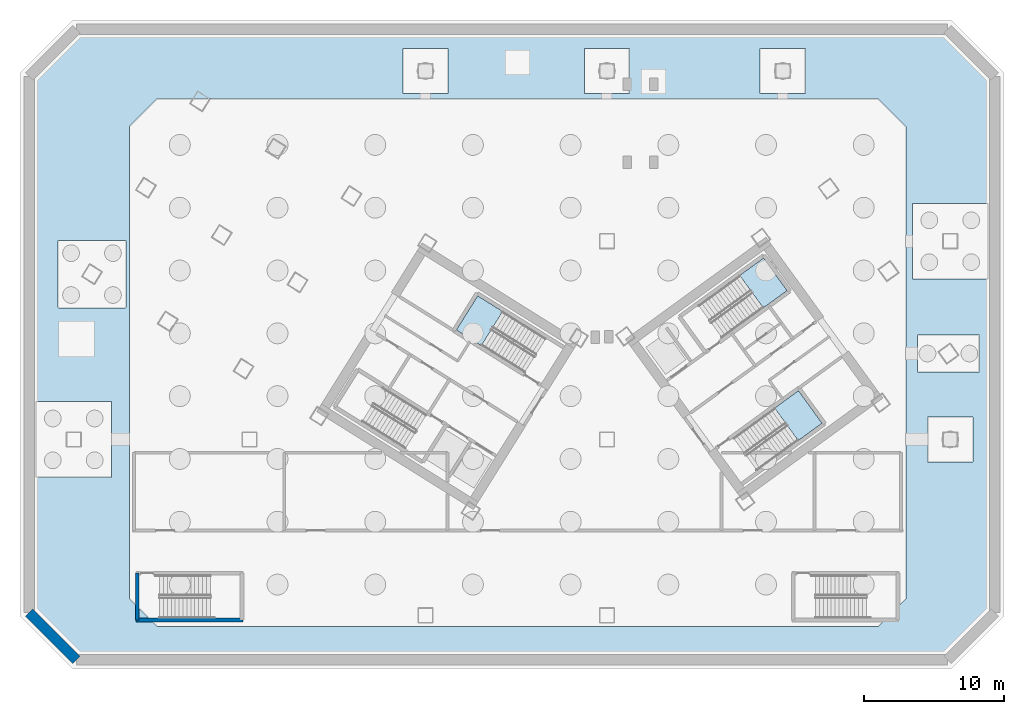
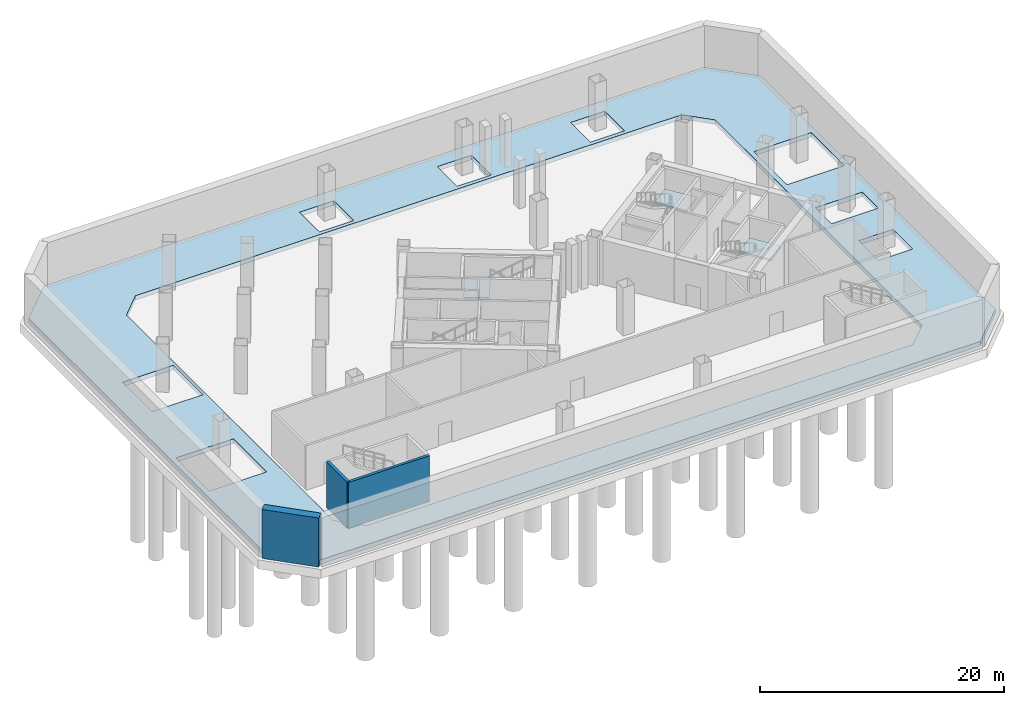
# One storey, part 3 of 11: 4 slabs, 3 walls, 3 elements without a shape of their own.
"""IFC4 building model written with IfcOpenShell, lengths in metres."""

from ifc_helpers import new_model, si_unit, direction, frame, frame_2d, origin, place, context, subcontext, project, spatial, polyline, rectangle, outline, extrude, material, layer, layer_set, type_object, element, aggregate, save


model = new_model("IFC4")

# Units and contexts
model_context = context("Model", 3, precision=1e-05, world=origin(), true_north=direction((0.0, 1.0)))
body_context = subcontext(model_context, "Body", "Model", "MODEL_VIEW")
ifc_project = project(units=[si_unit("LENGTHUNIT", "METRE"), si_unit("AREAUNIT", "SQUARE_METRE"), si_unit("VOLUMEUNIT", "CUBIC_METRE"), si_unit("PLANEANGLEUNIT", "RADIAN"), si_unit("MASSUNIT", "GRAM", prefix="KILO")], contexts=[model_context])

# Site, building, storey
site_placement = place(None, origin())
site = spatial("IfcSite", under=ifc_project, at=site_placement, CompositionType="ELEMENT")
building_placement = place(site_placement, origin())
building = spatial("IfcBuilding", under=site, at=building_placement, Name="Tlacorven Tower", CompositionType="ELEMENT")
storey_placement = place(building_placement, frame((0.0, 0.0, -9.60009765625)))
storey = spatial("IfcBuildingStorey", under=building, at=storey_placement, Name="B2", CompositionType="ELEMENT", Elevation=-9.60009765625)

# Stair, slab
ifc_material_1 = material(Name="Concrete C40/50", Category="concrete")
stair_type = type_object("IfcStairType", Name="ST-CORE-DLG", PredefinedType="HALF_TURN_STAIR", material=ifc_material_1)
stair_1_placement = place(storey_placement, origin())
stair_1 = element("IfcStair", 1, at=stair_1_placement, inside=storey, type_object=stair_type, Name="B2 Protected Exit Stair West 2", PredefinedType="HALF_TURN_STAIR")
ifc_layer_1 = layer(ifc_material_1, 0.199951171875)
ifc_layer_set_1 = layer_set([ifc_layer_1], Name="Concrete C40/50")
slab_type_1 = type_object("IfcSlabType", Name="SL-LND-200", PredefinedType="LANDING", material=ifc_layer_set_1)
slab_1_placement = place(storey_placement, frame((0.0, 0.0, 2.2001953125)))
slab_1 = element("IfcSlab", 2, at=slab_1_placement, type_object=slab_type_1, Name="ST-W2 landing 1", PredefinedType="LANDING", context=body_context, shape_type="SweptSolid", body=[
    extrude(outline(polyline([(35.330078125, 26.366455078125), (33.540771484375, 27.484375), (32.0146484375, 25.0419921875), (33.803955078125, 23.924072265625), (35.330078125, 26.366455078125)])), origin(), (0.0, 0.0, 1.0), 0.199951171875),
])
aggregate(stair_1, [slab_1])

stair_2_placement = place(storey_placement, origin())
stair_2 = element("IfcStair", 3, at=stair_2_placement, inside=storey, type_object=stair_type, Name="B2 Protected Exit Stair East 1", PredefinedType="HALF_TURN_STAIR")
slab_2_placement = place(storey_placement, frame((0.0, 0.0, 2.2001953125)))
slab_2 = element("IfcSlab", 4, at=slab_2_placement, type_object=slab_type_1, Name="ST-E1 landing 1", PredefinedType="LANDING", context=body_context, shape_type="SweptSolid", body=[
    extrude(outline(polyline([(54.00390625, 26.621337890625), (55.7109375, 27.861572265625), (54.01806640625, 30.19140625), (52.31103515625, 28.951171875), (54.00390625, 26.621337890625)])), origin(), (0.0, 0.0, 1.0), 0.199951171875),
])
aggregate(stair_2, [slab_2])

stair_3_placement = place(storey_placement, origin())
stair_3 = element("IfcStair", 5, at=stair_3_placement, inside=storey, type_object=stair_type, Name="B2 Protected Exit Stair East 2", PredefinedType="HALF_TURN_STAIR")
slab_3_placement = place(storey_placement, frame((0.0, 0.0, 2.2001953125)))
slab_3 = element("IfcSlab", 6, at=slab_3_placement, type_object=slab_type_1, Name="ST-E2 landing 1", PredefinedType="LANDING", context=body_context, shape_type="SweptSolid", body=[
    extrude(outline(polyline([(56.5078125, 17.1181640625), (58.21484375, 18.3583984375), (56.52197265625, 20.6884765625), (54.81494140625, 19.4482421875), (56.5078125, 17.1181640625)])), origin(), (0.0, 0.0, 1.0), 0.199951171875),
])
aggregate(stair_3, [slab_3])

# Slab
ifc_material_2 = material(Name="Concrete C50/60", Category="concrete")
ifc_layer_2 = layer(ifc_material_2, 0.449951171875)
ifc_layer_set_2 = layer_set([ifc_layer_2], Name="Concrete C50/60")
slab_type_2 = type_object("IfcSlabType", Name="SL-TRF-450", PredefinedType="FLOOR", material=ifc_layer_set_2)
slab_4_placement = place(storey_placement, frame((0.0, 0.0, -0.449951171875)))
element("IfcSlab", 7, at=slab_4_placement, inside=storey, type_object=slab_type_2, Name="B2 Perimeter Basement Slab 1", PredefinedType="FLOOR", context=body_context, shape_type="SweptSolid", body=[
    extrude(outline(polyline([(1.39990234375, 4.800048828125), (1.39990234375, 43.199951171875), (4.800048828125, 46.60009765625), (67.199951171875, 46.60009765625), (70.60009765625, 43.199951171875), (70.60009765625, 4.800048828125), (67.199951171875, 1.39990234375), (4.800048828125, 1.39990234375), (1.39990234375, 4.800048828125)]), holes=[polyline([(1.880126953125, 19.90185546875), (1.8798828125, 19.89990234375), (1.8798828125, 14.5), (1.880126953125, 14.498046875), (1.88037109375, 14.49609375), (1.880859375, 14.494140625), (1.881591796875, 14.492431640625), (1.88232421875, 14.490478515625), (1.88330078125, 14.48876953125), (1.884521484375, 14.4873046875), (1.8857421875, 14.48583984375), (1.88720703125, 14.484619140625), (1.888916015625, 14.4833984375), (1.890625, 14.482421875), (1.892333984375, 14.4814453125), (1.894287109375, 14.48095703125), (1.89599609375, 14.48046875), (1.89794921875, 14.47998046875), (1.89990234375, 14.47998046875), (7.300048828125, 14.47998046875), (7.302001953125, 14.47998046875), (7.303955078125, 14.48046875), (7.305908203125, 14.48095703125), (7.3076171875, 14.4814453125), (7.309326171875, 14.482421875), (7.31103515625, 14.4833984375), (7.312744140625, 14.484619140625), (7.314208984375, 14.48583984375), (7.3154296875, 14.4873046875), (7.316650390625, 14.48876953125), (7.317626953125, 14.490478515625), (7.318359375, 14.492431640625), (7.319091796875, 14.494140625), (7.319580078125, 14.49609375), (7.31982421875, 14.498046875), (7.320068359375, 14.5), (7.320068359375, 19.89990234375), (7.31982421875, 19.90185546875), (7.319580078125, 19.90380859375), (7.319091796875, 19.90576171875), (7.318359375, 19.90771484375), (7.317626953125, 19.909423828125), (7.316650390625, 19.9111328125), (7.3154296875, 19.91259765625), (7.314208984375, 19.9140625), (7.312744140625, 19.91552734375), (7.31103515625, 19.916748046875), (7.309326171875, 19.917724609375), (7.3076171875, 19.91845703125), (7.305908203125, 19.919189453125), (7.303955078125, 19.919677734375), (7.302001953125, 19.919921875), (7.300048828125, 19.919921875), (1.89990234375, 19.919921875), (1.89794921875, 19.919921875), (1.89599609375, 19.919677734375), (1.894287109375, 19.919189453125), (1.892333984375, 19.91845703125), (1.890625, 19.917724609375), (1.888916015625, 19.916748046875), (1.88720703125, 19.91552734375), (1.8857421875, 19.9140625), (1.884521484375, 19.91259765625), (1.88330078125, 19.9111328125), (1.88232421875, 19.909423828125), (1.881591796875, 19.90771484375), (1.880859375, 19.90576171875), (1.88037109375, 19.90380859375), (1.880126953125, 19.90185546875)]), polyline([(65.780029296875, 18.802001953125), (65.780029296875, 18.800048828125), (65.780029296875, 15.60009765625), (65.780029296875, 15.59814453125), (65.7802734375, 15.59619140625), (65.78076171875, 15.59423828125), (65.781494140625, 15.59228515625), (65.782470703125, 15.590576171875), (65.783447265625, 15.5888671875), (65.784423828125, 15.58740234375), (65.785888671875, 15.5859375), (65.787353515625, 15.58447265625), (65.788818359375, 15.583251953125), (65.79052734375, 15.582275390625), (65.792236328125, 15.58154296875), (65.794189453125, 15.580810546875), (65.796142578125, 15.580322265625), (65.798095703125, 15.580078125), (65.800048828125, 15.580078125), (69.0, 15.580078125), (69.001953125, 15.580078125), (69.00390625, 15.580322265625), (69.005859375, 15.580810546875), (69.007568359375, 15.58154296875), (69.009521484375, 15.582275390625), (69.01123046875, 15.583251953125), (69.0126953125, 15.58447265625), (69.01416015625, 15.5859375), (69.015380859375, 15.58740234375), (69.0166015625, 15.5888671875), (69.017578125, 15.590576171875), (69.0185546875, 15.59228515625), (69.01904296875, 15.59423828125), (69.01953125, 15.59619140625), (69.02001953125, 15.59814453125), (69.02001953125, 15.60009765625), (69.02001953125, 18.800048828125), (69.02001953125, 18.802001953125), (69.01953125, 18.803955078125), (69.01904296875, 18.805908203125), (69.0185546875, 18.8076171875), (69.017578125, 18.809326171875), (69.0166015625, 18.81103515625), (69.015380859375, 18.812744140625), (69.01416015625, 18.814208984375), (69.0126953125, 18.8154296875), (69.01123046875, 18.816650390625), (69.009521484375, 18.817626953125), (69.007568359375, 18.818359375), (69.005859375, 18.819091796875), (69.00390625, 18.819580078125), (69.001953125, 18.81982421875), (69.0, 18.820068359375), (65.800048828125, 18.820068359375), (65.798095703125, 18.81982421875), (65.796142578125, 18.819580078125), (65.794189453125, 18.819091796875), (65.792236328125, 18.818359375), (65.79052734375, 18.817626953125), (65.788818359375, 18.816650390625), (65.787353515625, 18.8154296875), (65.785888671875, 18.814208984375), (65.784423828125, 18.812744140625), (65.783447265625, 18.81103515625), (65.782470703125, 18.809326171875), (65.781494140625, 18.8076171875), (65.78076171875, 18.805908203125), (65.7802734375, 18.803955078125), (65.780029296875, 18.802001953125)]), polyline([(8.58447265625, 5.787353515625), (8.5859375, 5.785888671875), (10.5859375, 3.785888671875), (10.58740234375, 3.784423828125), (10.5888671875, 3.783447265625), (10.590576171875, 3.782470703125), (10.59228515625, 3.781494140625), (10.59423828125, 3.78076171875), (10.59619140625, 3.7802734375), (10.59814453125, 3.780029296875), (10.60009765625, 3.780029296875), (62.199951171875, 3.780029296875), (62.201904296875, 3.780029296875), (62.203857421875, 3.7802734375), (62.205810546875, 3.78076171875), (62.207763671875, 3.781494140625), (62.20947265625, 3.782470703125), (62.211181640625, 3.783447265625), (62.212646484375, 3.784423828125), (62.214111328125, 3.785888671875), (64.214111328125, 5.785888671875), (64.215576171875, 5.787353515625), (64.216552734375, 5.788818359375), (64.217529296875, 5.79052734375), (64.218505859375, 5.792236328125), (64.21923828125, 5.794189453125), (64.2197265625, 5.796142578125), (64.219970703125, 5.798095703125), (64.219970703125, 5.800048828125), (64.219970703125, 39.60009765625), (64.219970703125, 39.60205078125), (64.2197265625, 39.60400390625), (64.21923828125, 39.605712890625), (64.218505859375, 39.607666015625), (64.217529296875, 39.609375), (64.216552734375, 39.611083984375), (64.215576171875, 39.61279296875), (64.214111328125, 39.6142578125), (62.214111328125, 41.6142578125), (62.212646484375, 41.615478515625), (62.211181640625, 41.61669921875), (62.20947265625, 41.61767578125), (62.207763671875, 41.618408203125), (62.205810546875, 41.619140625), (62.203857421875, 41.61962890625), (62.201904296875, 41.619873046875), (62.199951171875, 41.6201171875), (10.60009765625, 41.6201171875), (10.59814453125, 41.619873046875), (10.59619140625, 41.61962890625), (10.59423828125, 41.619140625), (10.59228515625, 41.618408203125), (10.590576171875, 41.61767578125), (10.5888671875, 41.61669921875), (10.58740234375, 41.615478515625), (10.5859375, 41.6142578125), (8.5859375, 39.6142578125), (8.58447265625, 39.61279296875), (8.583251953125, 39.611083984375), (8.582275390625, 39.609375), (8.58154296875, 39.607666015625), (8.580810546875, 39.605712890625), (8.580322265625, 39.60400390625), (8.580078125, 39.60205078125), (8.580078125, 39.60009765625), (8.580078125, 5.800048828125), (8.580078125, 5.798095703125), (8.580322265625, 5.796142578125), (8.580810546875, 5.794189453125), (8.58154296875, 5.792236328125), (8.582275390625, 5.79052734375), (8.583251953125, 5.788818359375), (8.58447265625, 5.787353515625)]), polyline([(65.0478515625, 24.655517578125), (65.047607421875, 24.653564453125), (65.047607421875, 22.053466796875), (65.0478515625, 22.051513671875), (65.048095703125, 22.049560546875), (65.048583984375, 22.0478515625), (65.04931640625, 22.0458984375), (65.050048828125, 22.044189453125), (65.051025390625, 22.04248046875), (65.05224609375, 22.040771484375), (65.053466796875, 22.039306640625), (65.054931640625, 22.0380859375), (65.056640625, 22.036865234375), (65.058349609375, 22.035888671875), (65.06005859375, 22.03515625), (65.06201171875, 22.034423828125), (65.063720703125, 22.033935546875), (65.065673828125, 22.03369140625), (65.067626953125, 22.033447265625), (69.4677734375, 22.033447265625), (69.4697265625, 22.03369140625), (69.4716796875, 22.033935546875), (69.4736328125, 22.034423828125), (69.475341796875, 22.03515625), (69.47705078125, 22.035888671875), (69.478759765625, 22.036865234375), (69.48046875, 22.0380859375), (69.48193359375, 22.039306640625), (69.483154296875, 22.040771484375), (69.484375, 22.04248046875), (69.4853515625, 22.044189453125), (69.486083984375, 22.0458984375), (69.48681640625, 22.0478515625), (69.4873046875, 22.049560546875), (69.487548828125, 22.051513671875), (69.48779296875, 22.053466796875), (69.48779296875, 24.653564453125), (69.487548828125, 24.655517578125), (69.4873046875, 24.657470703125), (69.48681640625, 24.659423828125), (69.486083984375, 24.6611328125), (69.4853515625, 24.6630859375), (69.484375, 24.66455078125), (69.483154296875, 24.666259765625), (69.48193359375, 24.667724609375), (69.48046875, 24.6689453125), (69.478759765625, 24.670166015625), (69.47705078125, 24.671142578125), (69.475341796875, 24.672119140625), (69.4736328125, 24.672607421875), (69.4716796875, 24.673095703125), (69.4697265625, 24.67333984375), (69.4677734375, 24.673583984375), (65.067626953125, 24.673583984375), (65.065673828125, 24.67333984375), (65.063720703125, 24.673095703125), (65.06201171875, 24.672607421875), (65.06005859375, 24.672119140625), (65.058349609375, 24.671142578125), (65.056640625, 24.670166015625), (65.054931640625, 24.6689453125), (65.053466796875, 24.667724609375), (65.05224609375, 24.666259765625), (65.051025390625, 24.66455078125), (65.050048828125, 24.6630859375), (65.04931640625, 24.6611328125), (65.048583984375, 24.659423828125), (65.048095703125, 24.657470703125), (65.0478515625, 24.655517578125)]), polyline([(3.48876953125, 31.4462890625), (3.488525390625, 31.4443359375), (3.488525390625, 26.644287109375), (3.48876953125, 26.642333984375), (3.489013671875, 26.640380859375), (3.489501953125, 26.638427734375), (3.490234375, 26.63671875), (3.490966796875, 26.634765625), (3.491943359375, 26.63330078125), (3.4931640625, 26.631591796875), (3.494384765625, 26.630126953125), (3.495849609375, 26.62890625), (3.49755859375, 26.627685546875), (3.499267578125, 26.626708984375), (3.5009765625, 26.625732421875), (3.502685546875, 26.625244140625), (3.504638671875, 26.624755859375), (3.506591796875, 26.62451171875), (3.508544921875, 26.624267578125), (8.30859375, 26.624267578125), (8.310546875, 26.62451171875), (8.3125, 26.624755859375), (8.314453125, 26.625244140625), (8.316162109375, 26.625732421875), (8.318115234375, 26.626708984375), (8.31982421875, 26.627685546875), (8.3212890625, 26.62890625), (8.32275390625, 26.630126953125), (8.323974609375, 26.631591796875), (8.3251953125, 26.63330078125), (8.326171875, 26.634765625), (8.3271484375, 26.63671875), (8.32763671875, 26.638427734375), (8.328125, 26.640380859375), (8.32861328125, 26.642333984375), (8.32861328125, 26.644287109375), (8.32861328125, 31.4443359375), (8.32861328125, 31.4462890625), (8.328125, 31.4482421875), (8.32763671875, 31.4501953125), (8.3271484375, 31.451904296875), (8.326171875, 31.45361328125), (8.3251953125, 31.455322265625), (8.323974609375, 31.45703125), (8.32275390625, 31.45849609375), (8.3212890625, 31.459716796875), (8.31982421875, 31.4609375), (8.318115234375, 31.4619140625), (8.316162109375, 31.462890625), (8.314453125, 31.46337890625), (8.3125, 31.4638671875), (8.310546875, 31.464111328125), (8.30859375, 31.46435546875), (3.508544921875, 31.46435546875), (3.506591796875, 31.464111328125), (3.504638671875, 31.4638671875), (3.502685546875, 31.46337890625), (3.5009765625, 31.462890625), (3.499267578125, 31.4619140625), (3.49755859375, 31.4609375), (3.495849609375, 31.459716796875), (3.494384765625, 31.45849609375), (3.4931640625, 31.45703125), (3.491943359375, 31.455322265625), (3.490966796875, 31.45361328125), (3.490234375, 31.451904296875), (3.489501953125, 31.4501953125), (3.489013671875, 31.4482421875), (3.48876953125, 31.4462890625)]), polyline([(64.68017578125, 34.10205078125), (64.679931640625, 34.10009765625), (64.679931640625, 28.699951171875), (64.68017578125, 28.697998046875), (64.680419921875, 28.696044921875), (64.680908203125, 28.694091796875), (64.681640625, 28.6923828125), (64.682373046875, 28.690673828125), (64.683349609375, 28.68896484375), (64.6845703125, 28.687255859375), (64.685791015625, 28.685791015625), (64.687255859375, 28.6845703125), (64.68896484375, 28.683349609375), (64.690673828125, 28.682373046875), (64.6923828125, 28.681640625), (64.694091796875, 28.680908203125), (64.696044921875, 28.680419921875), (64.697998046875, 28.68017578125), (64.699951171875, 28.679931640625), (70.10009765625, 28.679931640625), (70.10205078125, 28.68017578125), (70.10400390625, 28.680419921875), (70.105712890625, 28.680908203125), (70.107666015625, 28.681640625), (70.109375, 28.682373046875), (70.111083984375, 28.683349609375), (70.11279296875, 28.6845703125), (70.1142578125, 28.685791015625), (70.115478515625, 28.687255859375), (70.11669921875, 28.68896484375), (70.11767578125, 28.690673828125), (70.118408203125, 28.6923828125), (70.119140625, 28.694091796875), (70.11962890625, 28.696044921875), (70.119873046875, 28.697998046875), (70.1201171875, 28.699951171875), (70.1201171875, 34.10009765625), (70.119873046875, 34.10205078125), (70.11962890625, 34.10400390625), (70.119140625, 34.105712890625), (70.118408203125, 34.107666015625), (70.11767578125, 34.109375), (70.11669921875, 34.111083984375), (70.115478515625, 34.11279296875), (70.1142578125, 34.1142578125), (70.11279296875, 34.115478515625), (70.111083984375, 34.11669921875), (70.109375, 34.11767578125), (70.107666015625, 34.118408203125), (70.105712890625, 34.119140625), (70.10400390625, 34.11962890625), (70.10205078125, 34.119873046875), (70.10009765625, 34.1201171875), (64.699951171875, 34.1201171875), (64.697998046875, 34.119873046875), (64.696044921875, 34.11962890625), (64.694091796875, 34.119140625), (64.6923828125, 34.118408203125), (64.690673828125, 34.11767578125), (64.68896484375, 34.11669921875), (64.687255859375, 34.115478515625), (64.685791015625, 34.1142578125), (64.6845703125, 34.11279296875), (64.683349609375, 34.111083984375), (64.682373046875, 34.109375), (64.681640625, 34.107666015625), (64.680908203125, 34.105712890625), (64.680419921875, 34.10400390625), (64.68017578125, 34.10205078125)]), polyline([(28.18017578125, 45.201904296875), (28.179931640625, 45.199951171875), (28.179931640625, 42.0), (28.18017578125, 41.998046875), (28.180419921875, 41.99609375), (28.180908203125, 41.994140625), (28.181640625, 41.992431640625), (28.182373046875, 41.990478515625), (28.183349609375, 41.98876953125), (28.1845703125, 41.9873046875), (28.185791015625, 41.98583984375), (28.187255859375, 41.984619140625), (28.18896484375, 41.9833984375), (28.190673828125, 41.982421875), (28.1923828125, 41.9814453125), (28.194091796875, 41.98095703125), (28.196044921875, 41.98046875), (28.197998046875, 41.97998046875), (28.199951171875, 41.97998046875), (31.39990234375, 41.97998046875), (31.40185546875, 41.97998046875), (31.40380859375, 41.98046875), (31.40576171875, 41.98095703125), (31.40771484375, 41.9814453125), (31.409423828125, 41.982421875), (31.4111328125, 41.9833984375), (31.41259765625, 41.984619140625), (31.4140625, 41.98583984375), (31.41552734375, 41.9873046875), (31.416748046875, 41.98876953125), (31.417724609375, 41.990478515625), (31.41845703125, 41.992431640625), (31.419189453125, 41.994140625), (31.419677734375, 41.99609375), (31.419921875, 41.998046875), (31.419921875, 42.0), (31.419921875, 45.199951171875), (31.419921875, 45.201904296875), (31.419677734375, 45.203857421875), (31.419189453125, 45.205810546875), (31.41845703125, 45.207763671875), (31.417724609375, 45.20947265625), (31.416748046875, 45.211181640625), (31.41552734375, 45.212646484375), (31.4140625, 45.214111328125), (31.41259765625, 45.215576171875), (31.4111328125, 45.216552734375), (31.409423828125, 45.217529296875), (31.40771484375, 45.218505859375), (31.40576171875, 45.21923828125), (31.40380859375, 45.2197265625), (31.40185546875, 45.219970703125), (31.39990234375, 45.219970703125), (28.199951171875, 45.219970703125), (28.197998046875, 45.219970703125), (28.196044921875, 45.2197265625), (28.194091796875, 45.21923828125), (28.1923828125, 45.218505859375), (28.190673828125, 45.217529296875), (28.18896484375, 45.216552734375), (28.187255859375, 45.215576171875), (28.185791015625, 45.214111328125), (28.1845703125, 45.212646484375), (28.183349609375, 45.211181640625), (28.182373046875, 45.20947265625), (28.181640625, 45.207763671875), (28.180908203125, 45.205810546875), (28.180419921875, 45.203857421875), (28.18017578125, 45.201904296875)]), polyline([(41.180419921875, 45.203857421875), (41.18017578125, 45.201904296875), (41.179931640625, 45.199951171875), (41.179931640625, 42.0), (41.18017578125, 41.998046875), (41.180419921875, 41.99609375), (41.180908203125, 41.994140625), (41.181640625, 41.992431640625), (41.182373046875, 41.990478515625), (41.183349609375, 41.98876953125), (41.1845703125, 41.9873046875), (41.185791015625, 41.98583984375), (41.187255859375, 41.984619140625), (41.18896484375, 41.9833984375), (41.190673828125, 41.982421875), (41.1923828125, 41.9814453125), (41.194091796875, 41.98095703125), (41.196044921875, 41.98046875), (41.197998046875, 41.97998046875), (41.199951171875, 41.97998046875), (44.39990234375, 41.97998046875), (44.40185546875, 41.97998046875), (44.40380859375, 41.98046875), (44.40576171875, 41.98095703125), (44.40771484375, 41.9814453125), (44.409423828125, 41.982421875), (44.4111328125, 41.9833984375), (44.41259765625, 41.984619140625), (44.4140625, 41.98583984375), (44.41552734375, 41.9873046875), (44.416748046875, 41.98876953125), (44.417724609375, 41.990478515625), (44.41845703125, 41.992431640625), (44.419189453125, 41.994140625), (44.419677734375, 41.99609375), (44.419921875, 41.998046875), (44.419921875, 42.0), (44.419921875, 45.199951171875), (44.419921875, 45.201904296875), (44.419677734375, 45.203857421875), (44.419189453125, 45.205810546875), (44.41845703125, 45.207763671875), (44.417724609375, 45.20947265625), (44.416748046875, 45.211181640625), (44.41552734375, 45.212646484375), (44.4140625, 45.214111328125), (44.41259765625, 45.215576171875), (44.4111328125, 45.216552734375), (44.409423828125, 45.217529296875), (44.40771484375, 45.218505859375), (44.40576171875, 45.21923828125), (44.40380859375, 45.2197265625), (44.40185546875, 45.219970703125), (44.39990234375, 45.219970703125), (41.199951171875, 45.219970703125), (41.197998046875, 45.219970703125), (41.196044921875, 45.2197265625), (41.194091796875, 45.21923828125), (41.1923828125, 45.218505859375), (41.190673828125, 45.217529296875), (41.18896484375, 45.216552734375), (41.187255859375, 45.215576171875), (41.185791015625, 45.214111328125), (41.1845703125, 45.212646484375), (41.183349609375, 45.211181640625), (41.182373046875, 45.20947265625), (41.181640625, 45.207763671875), (41.180908203125, 45.205810546875), (41.180419921875, 45.203857421875)]), polyline([(53.7802734375, 45.203857421875), (53.780029296875, 45.201904296875), (53.780029296875, 45.199951171875), (53.780029296875, 42.0), (53.780029296875, 41.998046875), (53.7802734375, 41.99609375), (53.78076171875, 41.994140625), (53.781494140625, 41.992431640625), (53.782470703125, 41.990478515625), (53.783447265625, 41.98876953125), (53.784423828125, 41.9873046875), (53.785888671875, 41.98583984375), (53.787353515625, 41.984619140625), (53.788818359375, 41.9833984375), (53.79052734375, 41.982421875), (53.792236328125, 41.9814453125), (53.794189453125, 41.98095703125), (53.796142578125, 41.98046875), (53.798095703125, 41.97998046875), (53.800048828125, 41.97998046875), (57.0, 41.97998046875), (57.001953125, 41.97998046875), (57.00390625, 41.98046875), (57.005859375, 41.98095703125), (57.007568359375, 41.9814453125), (57.009521484375, 41.982421875), (57.01123046875, 41.9833984375), (57.0126953125, 41.984619140625), (57.01416015625, 41.98583984375), (57.015380859375, 41.9873046875), (57.0166015625, 41.98876953125), (57.017578125, 41.990478515625), (57.0185546875, 41.992431640625), (57.01904296875, 41.994140625), (57.01953125, 41.99609375), (57.02001953125, 41.998046875), (57.02001953125, 42.0), (57.02001953125, 45.199951171875), (57.02001953125, 45.201904296875), (57.01953125, 45.203857421875), (57.01904296875, 45.205810546875), (57.0185546875, 45.207763671875), (57.017578125, 45.20947265625), (57.0166015625, 45.211181640625), (57.015380859375, 45.212646484375), (57.01416015625, 45.214111328125), (57.0126953125, 45.215576171875), (57.01123046875, 45.216552734375), (57.009521484375, 45.217529296875), (57.007568359375, 45.218505859375), (57.005859375, 45.21923828125), (57.00390625, 45.2197265625), (57.001953125, 45.219970703125), (57.0, 45.219970703125), (53.800048828125, 45.219970703125), (53.798095703125, 45.219970703125), (53.796142578125, 45.2197265625), (53.794189453125, 45.21923828125), (53.792236328125, 45.218505859375), (53.79052734375, 45.217529296875), (53.788818359375, 45.216552734375), (53.787353515625, 45.215576171875), (53.785888671875, 45.214111328125), (53.784423828125, 45.212646484375), (53.783447265625, 45.211181640625), (53.782470703125, 45.20947265625), (53.781494140625, 45.207763671875), (53.78076171875, 45.205810546875), (53.7802734375, 45.203857421875)])]), origin(), (0.0, 0.0, 1.0), 0.449951171875),
])

# Walls
ifc_layer_3 = layer(ifc_material_2, 0.75)
ifc_layer_set_3 = layer_set([ifc_layer_3], Name="Concrete C50/60")
wall_type_1 = type_object("IfcWallType", Name="WL-RET-750", PredefinedType="USERDEFINED", material=ifc_layer_set_3)
wall_1_placement = place(storey_placement, frame((1.39990234375, 4.800048828125, -0.449951171875), z_axis=(0.0, 0.0, 1.0), x_axis=(0.707106781187, -0.707106781187, 0.0)))
element("IfcWall", 8, at=wall_1_placement, inside=storey, type_object=wall_type_1, Name="B2 Diaphragm Retaining Wall 8", ObjectType="RETAINING WALL", PredefinedType="USERDEFINED", context=body_context, shape_type="SweptSolid", body=[
    extrude(rectangle(XDim=4.80859375, YDim=0.75, at=frame_2d((2.404296875, 0.0))), origin(), (0.0, 0.0, 1.0), 4.900146484375),
])
ifc_layer_4 = layer(ifc_material_2, 0.260009765625)
ifc_layer_set_4 = layer_set([ifc_layer_4], Name="Concrete C50/60")
wall_type_2 = type_object("IfcWallType", Name="WL-STW-260", PredefinedType="SHEAR", material=ifc_layer_set_4)
wall_2_placement = place(storey_placement, frame((9.070068359375, 4.260009765625, 0.0), z_axis=(0.0, 0.0, 1.0), x_axis=(1.0, 0.0, 0.0)))
element("IfcWall", 9, at=wall_2_placement, inside=storey, type_object=wall_type_2, Name="B2 Stair P1 South Wall", PredefinedType="SHEAR", context=body_context, shape_type="SweptSolid", body=[
    extrude(rectangle(XDim=7.659912109375, YDim=0.260009765625, at=frame_2d((3.830078125, 0.0))), origin(), (0.0, 0.0, 1.0), 4.60009765625),
])
wall_3_placement = place(storey_placement, frame((9.139892578125, 4.260009765625, 0.0), z_axis=(0.0, 0.0, 1.0), x_axis=(0.0, 1.0, 0.0)))
element("IfcWall", 10, at=wall_3_placement, inside=storey, type_object=wall_type_2, Name="B2 Stair P1 West Wall", PredefinedType="SHEAR", context=body_context, shape_type="SweptSolid", body=[
    extrude(rectangle(XDim=3.360107421875, YDim=0.260009765625, at=frame_2d((1.68017578125, 0.0))), origin(), (0.0, 0.0, 1.0), 4.60009765625),
])

save(model, "model.ifc")
